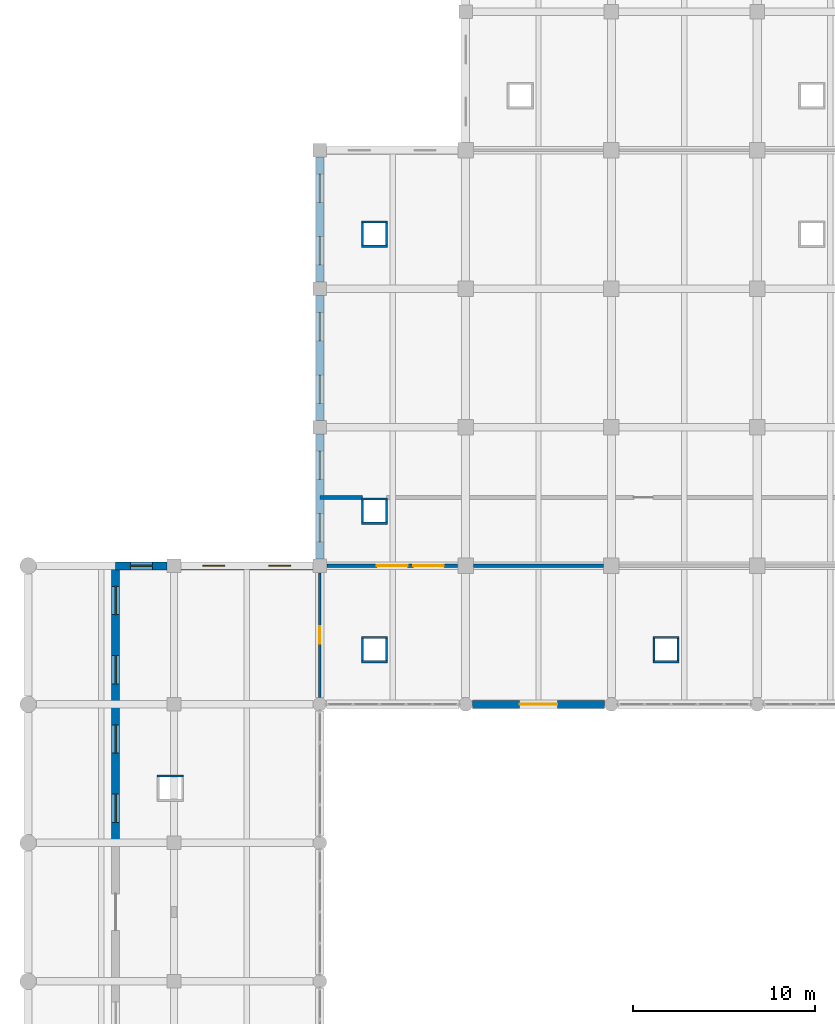
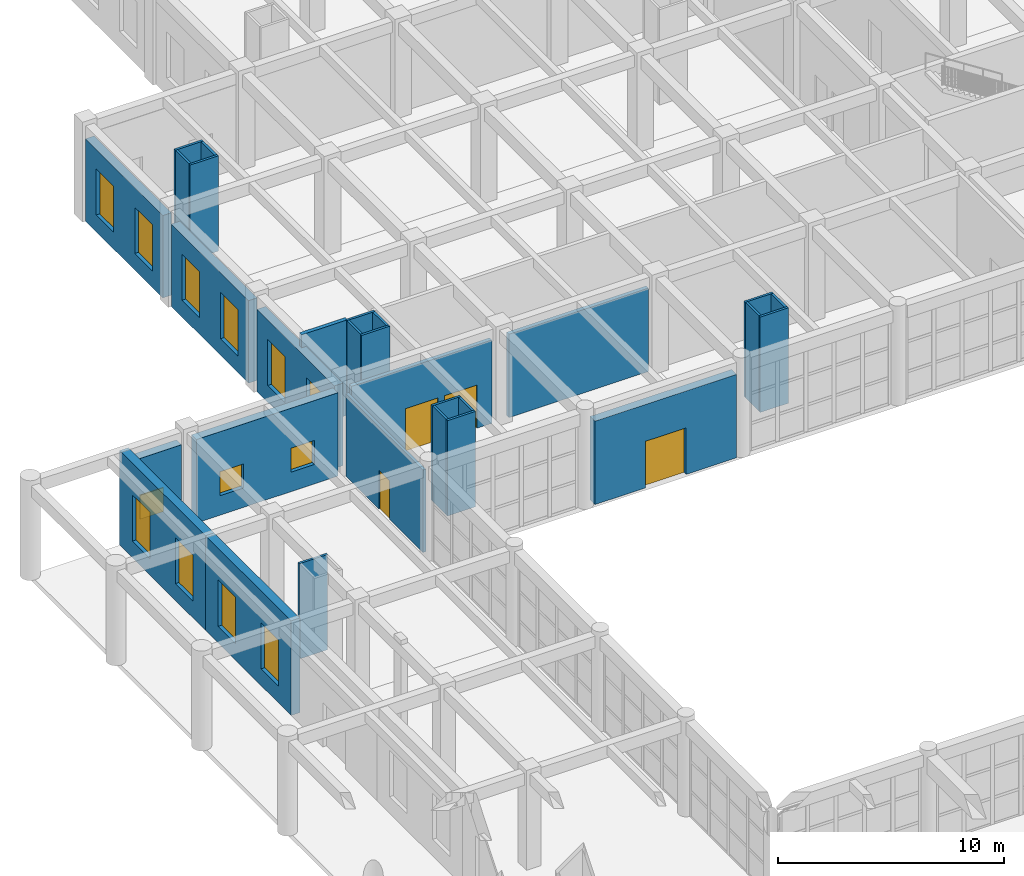
# One storey, part 75 of 95: 29 walls, 13 windows, 4 doors, 17 openings.
"""IFC4 building model written with IfcOpenShell, lengths in metres."""

from ifc_helpers import new_model, si_unit, direction, frame, frame_2d, origin, place, context, subcontext, project, spatial, rectangle, extrude, material, layer, layer_set, type_object, element, fill, save


model = new_model("IFC4")

# Units and contexts
model_context = context("Model", 3, precision=1e-05, world=origin(), true_north=direction((0.0, 1.0)))
body_context = subcontext(model_context, "Body", "Model", "MODEL_VIEW")
ifc_project = project(units=[si_unit("LENGTHUNIT", "METRE"), si_unit("AREAUNIT", "SQUARE_METRE"), si_unit("VOLUMEUNIT", "CUBIC_METRE"), si_unit("PLANEANGLEUNIT", "RADIAN"), si_unit("MASSUNIT", "GRAM", prefix="KILO")], contexts=[model_context])

# Site, building, storey
site_placement = place(None, origin())
site = spatial("IfcSite", under=ifc_project, at=site_placement, CompositionType="ELEMENT")
building_placement = place(site_placement, origin())
building = spatial("IfcBuilding", under=site, at=building_placement, Name="Zantavel Square City Hall", CompositionType="ELEMENT")
storey_placement = place(building_placement, origin())
storey = spatial("IfcBuildingStorey", under=building, at=storey_placement, Name="L01", CompositionType="ELEMENT", Elevation=0.0)

# Wall, opening, door
ifc_material_1 = material(Name="Gypsum acoustic stud assembly", Category="masonry")
ifc_layer_1 = layer(ifc_material_1, 0.14990234375, Name="Gypsum acoustic stud assembly")
ifc_layer_set_1 = layer_set([ifc_layer_1], Name="Gypsum acoustic stud assembly")
wall_type_1 = type_object("IfcWallType", Name="Department Office Partition 150mm", PredefinedType="PARTITIONING", material=ifc_layer_set_1)
wall_1_placement = place(storey_placement, frame((16.0, 68.784912109375, 0.0), z_axis=(0.0, 0.0, 1.0), x_axis=(0.0, 1.0, 0.0)))
wall_1 = element("IfcWall", 1, at=wall_1_placement, inside=storey, type_object=wall_type_1, Name="L01 Interior Wall IW-L01-0103", PredefinedType="PARTITIONING", context=body_context, shape_type="SweptSolid", body=[
    extrude(rectangle(XDim=6.830078125, YDim=0.14990234375, at=frame_2d((3.4150390625, 0.0))), origin(), (0.0, 0.0, 1.0), 4.4599609375),
])
opening_1_placement = place(wall_1_placement, frame((2.93994140625, 0.0, 0.0)))
opening_1 = element("IfcOpeningElement", 2, at=opening_1_placement, cuts=wall_1, Name="Opening D-0066", PredefinedType="OPENING", context=body_context, shape_type="SweptSolid", body=[
    extrude(rectangle(XDim=0.949951171875, YDim=2.10009765625, at=frame_2d((0.47509765625, 1.050048828125))), frame((0.0, 0.0849609375, 0.0), z_axis=(0.0, -1.0, 0.0), x_axis=(1.0, 0.0, 0.0)), (0.0, 0.0, 1.0), 0.169921875),
])
ifc_material_2 = material(Name="Solid oak hardwood", Category="wood")
door_type_1 = type_object("IfcDoorType", Name="Office Internal Oak Single Door 950x2100", OperationType="NOTDEFINED", PredefinedType="DOOR", material=ifc_material_2)
door_1_placement = place(opening_1_placement, origin())
door_1 = element("IfcDoor", 3, at=door_1_placement, inside=storey, type_object=door_type_1, Name="L01 Municipal History Exhibition Gallery Door", OperationType="SINGLE_SWING_RIGHT", OverallHeight=2.10009765625, OverallWidth=0.949951171875, PredefinedType="DOOR", context=body_context, shape_type="SweptSolid", body=[
    extrude(rectangle(XDim=0.949951171875, YDim=2.10009765625, at=frame_2d((0.47509765625, 1.050048828125))), frame((0.0, 0.02490234375, 0.0), z_axis=(0.0, -1.0, 0.0), x_axis=(1.0, 0.0, 0.0)), (0.0, 0.0, 1.0), 0.050048828125),
])
fill(opening_1, door_1)

# Wall, openings, doors
ifc_material_3 = material(Name="Cantera volcanic tuff stone", Category="masonry")
ifc_layer_2 = layer(ifc_material_3, 0.199951171875, Name="Cantera volcanic tuff stone")
ifc_layer_set_2 = layer_set([ifc_layer_2], Name="Cantera volcanic tuff stone")
wall_type_2 = type_object("IfcWallType", Name="Exit Corridor Rated Wall 200mm", PredefinedType="STANDARD", material=ifc_layer_set_2)
wall_2_placement = place(storey_placement, frame((16.385009765625, 76.0, 0.0), z_axis=(0.0, 0.0, 1.0), x_axis=(1.0, 0.0, 0.0)))
wall_2 = element("IfcWall", 4, at=wall_2_placement, inside=storey, type_object=wall_type_2, Name="L01 Interior Wall IW-L01-0105", PredefinedType="STANDARD", context=body_context, shape_type="SweptSolid", body=[
    extrude(rectangle(XDim=7.179931640625, YDim=0.199951171875, at=frame_2d((3.58984375, 0.0))), origin(), (0.0, 0.0, 1.0), 4.510009765625),
])
opening_2_placement = place(wall_2_placement, frame((2.75, 0.0, 0.0)))
opening_2 = element("IfcOpeningElement", 5, at=opening_2_placement, cuts=wall_2, Name="Opening D-0043", PredefinedType="OPENING", context=body_context, shape_type="SweptSolid", body=[
    extrude(rectangle(XDim=1.679931640625, YDim=2.340087890625, at=frame_2d((0.83984375, 1.169921875))), frame((0.0, 0.10986328125, 0.0), z_axis=(0.0, -1.0, 0.0), x_axis=(1.0, 0.0, 0.0)), (0.0, 0.0, 1.0), 0.219970703125),
])
opening_3_placement = place(wall_2_placement, frame((4.75, 0.0, 0.0)))
opening_3 = element("IfcOpeningElement", 6, at=opening_3_placement, cuts=wall_2, Name="Opening D-0068", PredefinedType="OPENING", context=body_context, shape_type="SweptSolid", body=[
    extrude(rectangle(XDim=1.679931640625, YDim=2.340087890625, at=frame_2d((0.83984375, 1.169921875))), frame((0.0, 0.10986328125, 0.0), z_axis=(0.0, -1.0, 0.0), x_axis=(1.0, 0.0, 0.0)), (0.0, 0.0, 1.0), 0.219970703125),
])
door_type_2 = type_object("IfcDoorType", Name="Dining Servery Double Fire Door 1680x2340 FD60S", OperationType="NOTDEFINED", PredefinedType="DOOR", material=ifc_material_2)
door_2_placement = place(opening_2_placement, origin())
door_2 = element("IfcDoor", 7, at=door_2_placement, inside=storey, type_object=door_type_2, Name="L01 Public Courtyard Cafe Door", OperationType="DOUBLE_DOOR_SINGLE_SWING", OverallHeight=2.340087890625, OverallWidth=1.679931640625, PredefinedType="DOOR", context=body_context, shape_type="SweptSolid", body=[
    extrude(rectangle(XDim=1.679931640625, YDim=2.340087890625, at=frame_2d((0.83984375, 1.169921875))), frame((0.0, 0.02490234375, 0.0), z_axis=(0.0, -1.0, 0.0), x_axis=(1.0, 0.0, 0.0)), (0.0, 0.0, 1.0), 0.050048828125),
])
fill(opening_2, door_2)
door_3_placement = place(opening_3_placement, origin())
door_3 = element("IfcDoor", 8, at=door_3_placement, inside=storey, type_object=door_type_2, Name="L01 Public Courtyard Cafe Door", OperationType="DOUBLE_DOOR_SINGLE_SWING", OverallHeight=2.340087890625, OverallWidth=1.679931640625, PredefinedType="DOOR", context=body_context, shape_type="SweptSolid", body=[
    extrude(rectangle(XDim=1.679931640625, YDim=2.340087890625, at=frame_2d((0.83984375, 1.169921875))), frame((0.0, 0.02490234375, 0.0), z_axis=(0.0, -1.0, 0.0), x_axis=(1.0, 0.0, 0.0)), (0.0, 0.0, 1.0), 0.050048828125),
])
fill(opening_3, door_3)

# Walls
wall_3_placement = place(storey_placement, frame((24.43505859375, 76.0, 0.0), z_axis=(0.0, 0.0, 1.0), x_axis=(1.0, 0.0, 0.0)))
element("IfcWall", 9, at=wall_3_placement, inside=storey, type_object=wall_type_2, Name="L01 Interior Wall IW-L01-0106", PredefinedType="STANDARD", context=body_context, shape_type="SweptSolid", body=[
    extrude(rectangle(XDim=7.1298828125, YDim=0.199951171875, at=frame_2d((3.56494140625, 0.0))), origin(), (0.0, 0.0, 1.0), 4.510009765625),
])
wall_4_placement = place(storey_placement, frame((18.344970703125, 79.75, 0.0), z_axis=(0.0, 0.0, 1.0), x_axis=(-1.0, 0.0, 0.0)))
element("IfcWall", 10, at=wall_4_placement, inside=storey, type_object=wall_type_2, Name="L01 Interior Wall IW-L01-0118", PredefinedType="STANDARD", context=body_context, shape_type="SweptSolid", body=[
    extrude(rectangle(XDim=2.344970703125, YDim=0.199951171875, at=frame_2d((1.17236328125, 0.0))), origin(), (0.0, 0.0, 1.0), 5.159912109375),
])
ifc_material_4 = material(Name="Concrete C35/45", Category="concrete")
ifc_layer_3 = layer(ifc_material_4, 0.1201171875, Name="Concrete C35/45")
ifc_layer_set_3 = layer_set([ifc_layer_3], Name="Concrete C35/45")
wall_type_3 = type_object("IfcWallType", Name="Riser Chase Wall RC 120mm C35/45", PredefinedType="PARTITIONING", material=ifc_layer_set_3)
wall_5_placement = place(storey_placement, frame((7.080078125, 64.4599609375, 0.0), z_axis=(0.0, 0.0, 1.0), x_axis=(1.0, 0.0, 0.0)))
element("IfcWall", 11, at=wall_5_placement, inside=storey, type_object=wall_type_3, Name="L01 MEP Riser 18 Wall N", PredefinedType="PARTITIONING", context=body_context, shape_type="SweptSolid", body=[
    extrude(rectangle(XDim=1.43994140625, YDim=0.1201171875, at=frame_2d((0.719970703125, 0.0))), origin(), (0.0, 0.0, 1.0), 5.14990234375),
])
wall_6_placement = place(storey_placement, frame((19.719970703125, 70.739990234375, 0.0), z_axis=(0.0, 0.0, 1.0), x_axis=(-1.0, 0.0, 0.0)))
element("IfcWall", 12, at=wall_6_placement, inside=storey, type_object=wall_type_3, Name="L01 MEP Riser 19 Wall S", PredefinedType="PARTITIONING", context=body_context, shape_type="SweptSolid", body=[
    extrude(rectangle(XDim=1.43994140625, YDim=0.1201171875, at=frame_2d((0.719970703125, 0.0))), origin(), (0.0, 0.0, 1.0), 5.159912109375),
])
wall_7_placement = place(storey_placement, frame((18.340087890625, 70.800048828125, 0.0), z_axis=(0.0, 0.0, 1.0), x_axis=(0.0, 1.0, 0.0)))
element("IfcWall", 13, at=wall_7_placement, inside=storey, type_object=wall_type_3, Name="L01 MEP Riser 19 Wall W", PredefinedType="PARTITIONING", context=body_context, shape_type="SweptSolid", body=[
    extrude(rectangle(XDim=1.199951171875, YDim=0.1201171875, at=frame_2d((0.60009765625, 0.0))), origin(), (0.0, 0.0, 1.0), 5.159912109375),
])
wall_8_placement = place(storey_placement, frame((18.280029296875, 72.06005859375, 0.0), z_axis=(0.0, 0.0, 1.0), x_axis=(1.0, 0.0, 0.0)))
element("IfcWall", 14, at=wall_8_placement, inside=storey, type_object=wall_type_3, Name="L01 MEP Riser 19 Wall N", PredefinedType="PARTITIONING", context=body_context, shape_type="SweptSolid", body=[
    extrude(rectangle(XDim=1.43994140625, YDim=0.1201171875, at=frame_2d((0.719970703125, 0.0))), origin(), (0.0, 0.0, 1.0), 5.159912109375),
])
wall_9_placement = place(storey_placement, frame((19.659912109375, 72.0, 0.0), z_axis=(0.0, 0.0, 1.0), x_axis=(0.0, -1.0, 0.0)))
element("IfcWall", 15, at=wall_9_placement, inside=storey, type_object=wall_type_3, Name="L01 MEP Riser 19 Wall E", PredefinedType="PARTITIONING", context=body_context, shape_type="SweptSolid", body=[
    extrude(rectangle(XDim=1.199951171875, YDim=0.1201171875, at=frame_2d((0.60009765625, 0.0))), origin(), (0.0, 0.0, 1.0), 5.159912109375),
])
wall_10_placement = place(storey_placement, frame((35.719970703125, 70.739990234375, 0.0), z_axis=(0.0, 0.0, 1.0), x_axis=(-1.0, 0.0, 0.0)))
element("IfcWall", 16, at=wall_10_placement, inside=storey, type_object=wall_type_3, Name="L01 MEP Riser 20 Wall S", PredefinedType="PARTITIONING", context=body_context, shape_type="SweptSolid", body=[
    extrude(rectangle(XDim=1.43994140625, YDim=0.1201171875, at=frame_2d((0.719970703125, 0.0))), origin(), (0.0, 0.0, 1.0), 5.159912109375),
])
wall_11_placement = place(storey_placement, frame((34.340087890625, 70.800048828125, 0.0), z_axis=(0.0, 0.0, 1.0), x_axis=(0.0, 1.0, 0.0)))
element("IfcWall", 17, at=wall_11_placement, inside=storey, type_object=wall_type_3, Name="L01 MEP Riser 20 Wall W", PredefinedType="PARTITIONING", context=body_context, shape_type="SweptSolid", body=[
    extrude(rectangle(XDim=1.199951171875, YDim=0.1201171875, at=frame_2d((0.60009765625, 0.0))), origin(), (0.0, 0.0, 1.0), 5.159912109375),
])
wall_12_placement = place(storey_placement, frame((34.280029296875, 72.06005859375, 0.0), z_axis=(0.0, 0.0, 1.0), x_axis=(1.0, 0.0, 0.0)))
element("IfcWall", 18, at=wall_12_placement, inside=storey, type_object=wall_type_3, Name="L01 MEP Riser 20 Wall N", PredefinedType="PARTITIONING", context=body_context, shape_type="SweptSolid", body=[
    extrude(rectangle(XDim=1.43994140625, YDim=0.1201171875, at=frame_2d((0.719970703125, 0.0))), origin(), (0.0, 0.0, 1.0), 5.159912109375),
])
wall_13_placement = place(storey_placement, frame((35.659912109375, 72.0, 0.0), z_axis=(0.0, 0.0, 1.0), x_axis=(0.0, -1.0, 0.0)))
element("IfcWall", 19, at=wall_13_placement, inside=storey, type_object=wall_type_3, Name="L01 MEP Riser 20 Wall E", PredefinedType="PARTITIONING", context=body_context, shape_type="SweptSolid", body=[
    extrude(rectangle(XDim=1.199951171875, YDim=0.1201171875, at=frame_2d((0.60009765625, 0.0))), origin(), (0.0, 0.0, 1.0), 5.159912109375),
])
wall_14_placement = place(storey_placement, frame((19.719970703125, 78.340087890625, 0.0), z_axis=(0.0, 0.0, 1.0), x_axis=(-1.0, 0.0, 0.0)))
element("IfcWall", 20, at=wall_14_placement, inside=storey, type_object=wall_type_3, Name="L01 MEP Riser 26 Wall S", PredefinedType="PARTITIONING", context=body_context, shape_type="SweptSolid", body=[
    extrude(rectangle(XDim=1.43994140625, YDim=0.1201171875, at=frame_2d((0.719970703125, 0.0))), origin(), (0.0, 0.0, 1.0), 5.159912109375),
])
wall_15_placement = place(storey_placement, frame((18.340087890625, 78.39990234375, 0.0), z_axis=(0.0, 0.0, 1.0), x_axis=(0.0, 1.0, 0.0)))
element("IfcWall", 21, at=wall_15_placement, inside=storey, type_object=wall_type_3, Name="L01 MEP Riser 26 Wall W", PredefinedType="PARTITIONING", context=body_context, shape_type="SweptSolid", body=[
    extrude(rectangle(XDim=1.2001953125, YDim=0.1201171875, at=frame_2d((0.60009765625, 0.0))), origin(), (0.0, 0.0, 1.0), 5.159912109375),
])
wall_16_placement = place(storey_placement, frame((18.280029296875, 79.659912109375, 0.0), z_axis=(0.0, 0.0, 1.0), x_axis=(1.0, 0.0, 0.0)))
element("IfcWall", 22, at=wall_16_placement, inside=storey, type_object=wall_type_3, Name="L01 MEP Riser 26 Wall N", PredefinedType="PARTITIONING", context=body_context, shape_type="SweptSolid", body=[
    extrude(rectangle(XDim=1.43994140625, YDim=0.1201171875, at=frame_2d((0.719970703125, 0.0))), origin(), (0.0, 0.0, 1.0), 5.159912109375),
])
wall_17_placement = place(storey_placement, frame((19.659912109375, 79.60009765625, 0.0), z_axis=(0.0, 0.0, 1.0), x_axis=(0.0, -1.0, 0.0)))
element("IfcWall", 23, at=wall_17_placement, inside=storey, type_object=wall_type_3, Name="L01 MEP Riser 26 Wall E", PredefinedType="PARTITIONING", context=body_context, shape_type="SweptSolid", body=[
    extrude(rectangle(XDim=1.2001953125, YDim=0.1201171875, at=frame_2d((0.60009765625, 0.0))), origin(), (0.0, 0.0, 1.0), 5.159912109375),
])
wall_18_placement = place(storey_placement, frame((19.719970703125, 93.5400390625, 0.0), z_axis=(0.0, 0.0, 1.0), x_axis=(-1.0, 0.0, 0.0)))
element("IfcWall", 24, at=wall_18_placement, inside=storey, type_object=wall_type_3, Name="L01 MEP Riser 27 Wall S", PredefinedType="PARTITIONING", context=body_context, shape_type="SweptSolid", body=[
    extrude(rectangle(XDim=1.43994140625, YDim=0.1201171875, at=frame_2d((0.719970703125, 0.0))), origin(), (0.0, 0.0, 1.0), 5.159912109375),
])
wall_19_placement = place(storey_placement, frame((18.340087890625, 93.60009765625, 0.0), z_axis=(0.0, 0.0, 1.0), x_axis=(0.0, 1.0, 0.0)))
element("IfcWall", 25, at=wall_19_placement, inside=storey, type_object=wall_type_3, Name="L01 MEP Riser 27 Wall W", PredefinedType="PARTITIONING", context=body_context, shape_type="SweptSolid", body=[
    extrude(rectangle(XDim=1.199951171875, YDim=0.1201171875, at=frame_2d((0.60009765625, 0.0))), origin(), (0.0, 0.0, 1.0), 5.159912109375),
])
wall_20_placement = place(storey_placement, frame((18.280029296875, 94.860107421875, 0.0), z_axis=(0.0, 0.0, 1.0), x_axis=(1.0, 0.0, 0.0)))
element("IfcWall", 26, at=wall_20_placement, inside=storey, type_object=wall_type_3, Name="L01 MEP Riser 27 Wall N", PredefinedType="PARTITIONING", context=body_context, shape_type="SweptSolid", body=[
    extrude(rectangle(XDim=1.43994140625, YDim=0.1201171875, at=frame_2d((0.719970703125, 0.0))), origin(), (0.0, 0.0, 1.0), 5.159912109375),
])
wall_21_placement = place(storey_placement, frame((19.659912109375, 94.800048828125, 0.0), z_axis=(0.0, 0.0, 1.0), x_axis=(0.0, -1.0, 0.0)))
element("IfcWall", 27, at=wall_21_placement, inside=storey, type_object=wall_type_3, Name="L01 MEP Riser 27 Wall E", PredefinedType="PARTITIONING", context=body_context, shape_type="SweptSolid", body=[
    extrude(rectangle(XDim=1.199951171875, YDim=0.1201171875, at=frame_2d((0.60009765625, 0.0))), origin(), (0.0, 0.0, 1.0), 5.159912109375),
])

# Wall, openings, windows
ifc_material_5 = material(Name="Tezontle volcanic basaltic scoria stone", Category="masonry")
ifc_layer_4 = layer(ifc_material_5, 0.43994140625, Name="Tezontle volcanic basaltic scoria stone")
ifc_layer_set_4 = layer_set([ifc_layer_4], Name="Tezontle volcanic basaltic scoria stone")
wall_type_4 = type_object("IfcWallType", Name="Tezontle Rusticated Plinth Wall 440mm", PredefinedType="STANDARD", material=ifc_layer_set_4)
wall_22_placement = place(storey_placement, frame((4.800048828125, 60.800048828125, 0.0), z_axis=(0.0, 0.0, 1.0), x_axis=(0.0, 1.0, 0.0)))
wall_22 = element("IfcWall", 28, at=wall_22_placement, inside=storey, type_object=wall_type_4, Name="L01 Exterior Wall EW-L01-001", PredefinedType="STANDARD", context=body_context, shape_type="SweptSolid", body=[
    extrude(rectangle(XDim=7.599853515625, YDim=0.43994140625, at=frame_2d((3.7998046875, 0.0))), origin(), (0.0, 0.0, 1.0), 5.1201171875),
])
opening_4_placement = place(wall_22_placement, frame((1.125, 0.0, 0.89990234375)))
opening_4 = element("IfcOpeningElement", 29, at=opening_4_placement, cuts=wall_22, Name="Opening W-001", PredefinedType="OPENING", context=body_context, shape_type="SweptSolid", body=[
    extrude(rectangle(XDim=1.550048828125, YDim=2.5, at=frame_2d((0.77490234375, 1.25))), frame((0.0, 0.22998046875, 0.0), z_axis=(0.0, -1.0, 0.0), x_axis=(1.0, 0.0, 0.0)), (0.0, 0.0, 1.0), 0.4599609375),
])
opening_5_placement = place(wall_22_placement, frame((4.925048828125, 0.0, 0.89990234375)))
opening_5 = element("IfcOpeningElement", 30, at=opening_5_placement, cuts=wall_22, Name="Opening W-002", PredefinedType="OPENING", context=body_context, shape_type="SweptSolid", body=[
    extrude(rectangle(XDim=1.550048828125, YDim=2.5, at=frame_2d((0.77490234375, 1.25))), frame((0.0, 0.22998046875, 0.0), z_axis=(0.0, -1.0, 0.0), x_axis=(1.0, 0.0, 0.0)), (0.0, 0.0, 1.0), 0.4599609375),
])
ifc_material_6 = material(Name="Tempered safety glass low-E double glazing", Category="glass")
window_type_1 = type_object("IfcWindowType", Name="Window Ground Annex 1550x2500", PartitioningType="DOUBLE_PANEL_VERTICAL", PredefinedType="WINDOW", material=ifc_material_6)
window_1_placement = place(opening_4_placement, origin())
window_1 = element("IfcWindow", 31, at=window_1_placement, inside=storey, type_object=window_type_1, Name="L01 Window W-001", OverallHeight=2.5, OverallWidth=1.550048828125, PartitioningType="DOUBLE_PANEL_VERTICAL", PredefinedType="WINDOW", context=body_context, shape_type="SweptSolid", body=[
    extrude(rectangle(XDim=1.550048828125, YDim=2.5, at=frame_2d((0.77490234375, 1.25))), frame((0.0, 0.030029296875, 0.0), z_axis=(0.0, -1.0, 0.0), x_axis=(1.0, 0.0, 0.0)), (0.0, 0.0, 1.0), 0.06005859375),
])
fill(opening_4, window_1)
window_2_placement = place(opening_5_placement, origin())
window_2 = element("IfcWindow", 32, at=window_2_placement, inside=storey, type_object=window_type_1, Name="L01 Window W-002", OverallHeight=2.5, OverallWidth=1.550048828125, PartitioningType="DOUBLE_PANEL_VERTICAL", PredefinedType="WINDOW", context=body_context, shape_type="SweptSolid", body=[
    extrude(rectangle(XDim=1.550048828125, YDim=2.5, at=frame_2d((0.77490234375, 1.25))), frame((0.0, 0.030029296875, 0.0), z_axis=(0.0, -1.0, 0.0), x_axis=(1.0, 0.0, 0.0)), (0.0, 0.0, 1.0), 0.06005859375),
])
fill(opening_5, window_2)

wall_23_placement = place(storey_placement, frame((4.800048828125, 68.39990234375, 0.0), z_axis=(0.0, 0.0, 1.0), x_axis=(0.0, 1.0, 0.0)))
wall_23 = element("IfcWall", 33, at=wall_23_placement, inside=storey, type_object=wall_type_4, Name="L01 Exterior Wall EW-L01-002", PredefinedType="STANDARD", context=body_context, shape_type="SweptSolid", body=[
    extrude(rectangle(XDim=7.60009765625, YDim=0.43994140625, at=frame_2d((3.800048828125, 0.0))), origin(), (0.0, 0.0, 1.0), 5.1201171875),
])
opening_6_placement = place(wall_23_placement, frame((1.125, 0.0, 0.89990234375)))
opening_6 = element("IfcOpeningElement", 34, at=opening_6_placement, cuts=wall_23, Name="Opening W-003", PredefinedType="OPENING", context=body_context, shape_type="SweptSolid", body=[
    extrude(rectangle(XDim=1.550048828125, YDim=2.5, at=frame_2d((0.77490234375, 1.25))), frame((0.0, 0.22998046875, 0.0), z_axis=(0.0, -1.0, 0.0), x_axis=(1.0, 0.0, 0.0)), (0.0, 0.0, 1.0), 0.4599609375),
])
opening_7_placement = place(wall_23_placement, frame((4.925048828125, 0.0, 0.89990234375)))
opening_7 = element("IfcOpeningElement", 35, at=opening_7_placement, cuts=wall_23, Name="Opening W-004", PredefinedType="OPENING", context=body_context, shape_type="SweptSolid", body=[
    extrude(rectangle(XDim=1.550048828125, YDim=2.5, at=frame_2d((0.77490234375, 1.25))), frame((0.0, 0.22998046875, 0.0), z_axis=(0.0, -1.0, 0.0), x_axis=(1.0, 0.0, 0.0)), (0.0, 0.0, 1.0), 0.4599609375),
])
window_3_placement = place(opening_6_placement, origin())
window_3 = element("IfcWindow", 36, at=window_3_placement, inside=storey, type_object=window_type_1, Name="L01 Window W-003", OverallHeight=2.5, OverallWidth=1.550048828125, PartitioningType="DOUBLE_PANEL_VERTICAL", PredefinedType="WINDOW", context=body_context, shape_type="SweptSolid", body=[
    extrude(rectangle(XDim=1.550048828125, YDim=2.5, at=frame_2d((0.77490234375, 1.25))), frame((0.0, 0.030029296875, 0.0), z_axis=(0.0, -1.0, 0.0), x_axis=(1.0, 0.0, 0.0)), (0.0, 0.0, 1.0), 0.06005859375),
])
fill(opening_6, window_3)
window_4_placement = place(opening_7_placement, origin())
window_4 = element("IfcWindow", 37, at=window_4_placement, inside=storey, type_object=window_type_1, Name="L01 Window W-004", OverallHeight=2.5, OverallWidth=1.550048828125, PartitioningType="DOUBLE_PANEL_VERTICAL", PredefinedType="WINDOW", context=body_context, shape_type="SweptSolid", body=[
    extrude(rectangle(XDim=1.550048828125, YDim=2.5, at=frame_2d((0.77490234375, 1.25))), frame((0.0, 0.030029296875, 0.0), z_axis=(0.0, -1.0, 0.0), x_axis=(1.0, 0.0, 0.0)), (0.0, 0.0, 1.0), 0.06005859375),
])
fill(opening_7, window_4)

# Wall, opening, window
wall_24_placement = place(storey_placement, frame((4.800048828125, 76.0, 0.0), z_axis=(0.0, 0.0, 1.0), x_axis=(1.0, 0.0, 0.0)))
wall_24 = element("IfcWall", 38, at=wall_24_placement, inside=storey, type_object=wall_type_4, Name="L01 Exterior Wall EW-L01-003", PredefinedType="STANDARD", context=body_context, shape_type="SweptSolid", body=[
    extrude(rectangle(XDim=2.824951171875, YDim=0.43994140625, at=frame_2d((1.41259765625, 0.0))), origin(), (0.0, 0.0, 1.0), 4.5),
])
opening_8_placement = place(wall_24_placement, frame((0.8125, 0.0, 1.050048828125)))
opening_8 = element("IfcOpeningElement", 39, at=opening_8_placement, cuts=wall_24, Name="Opening W-005", PredefinedType="OPENING", context=body_context, shape_type="SweptSolid", body=[
    extrude(rectangle(XDim=1.199951171875, YDim=1.300048828125, at=frame_2d((0.60009765625, 0.64990234375))), frame((0.0, 0.22998046875, 0.0), z_axis=(0.0, -1.0, 0.0), x_axis=(1.0, 0.0, 0.0)), (0.0, 0.0, 1.0), 0.4599609375),
])
window_type_2 = type_object("IfcWindowType", Name="Window Mailroom Clerestory 1200x1300", PartitioningType="SINGLE_PANEL", PredefinedType="WINDOW", material=ifc_material_6)
window_5_placement = place(opening_8_placement, origin())
window_5 = element("IfcWindow", 40, at=window_5_placement, inside=storey, type_object=window_type_2, Name="L01 Window W-005", OverallHeight=1.300048828125, OverallWidth=1.199951171875, PartitioningType="SINGLE_PANEL", PredefinedType="WINDOW", context=body_context, shape_type="SweptSolid", body=[
    extrude(rectangle(XDim=1.199951171875, YDim=1.300048828125, at=frame_2d((0.60009765625, 0.64990234375))), frame((0.0, 0.030029296875, 0.0), z_axis=(0.0, -1.0, 0.0), x_axis=(1.0, 0.0, 0.0)), (0.0, 0.0, 1.0), 0.06005859375),
])
fill(opening_8, window_5)

# Wall, openings, windows
wall_25_placement = place(storey_placement, frame((8.375, 76.0, 0.0), z_axis=(0.0, 0.0, 1.0), x_axis=(1.0, 0.0, 0.0)))
wall_25 = element("IfcWall", 41, at=wall_25_placement, inside=storey, type_object=wall_type_4, Name="L01 Exterior Wall EW-L01-004", PredefinedType="STANDARD", context=body_context, shape_type="SweptSolid", body=[
    extrude(rectangle(XDim=7.25, YDim=0.43994140625, at=frame_2d((3.625, 0.0))), origin(), (0.0, 0.0, 1.0), 4.510009765625),
])
opening_9_placement = place(wall_25_placement, frame((1.21240234375, 0.0, 1.050048828125)))
opening_9 = element("IfcOpeningElement", 42, at=opening_9_placement, cuts=wall_25, Name="Opening W-006", PredefinedType="OPENING", context=body_context, shape_type="SweptSolid", body=[
    extrude(rectangle(XDim=1.199951171875, YDim=1.300048828125, at=frame_2d((0.60009765625, 0.64990234375))), frame((0.0, 0.22998046875, 0.0), z_axis=(0.0, -1.0, 0.0), x_axis=(1.0, 0.0, 0.0)), (0.0, 0.0, 1.0), 0.4599609375),
])
opening_10_placement = place(wall_25_placement, frame((4.83740234375, 0.0, 1.050048828125)))
opening_10 = element("IfcOpeningElement", 43, at=opening_10_placement, cuts=wall_25, Name="Opening W-007", PredefinedType="OPENING", context=body_context, shape_type="SweptSolid", body=[
    extrude(rectangle(XDim=1.199951171875, YDim=1.300048828125, at=frame_2d((0.60009765625, 0.64990234375))), frame((0.0, 0.22998046875, 0.0), z_axis=(0.0, -1.0, 0.0), x_axis=(1.0, 0.0, 0.0)), (0.0, 0.0, 1.0), 0.4599609375),
])
window_6_placement = place(opening_9_placement, origin())
window_6 = element("IfcWindow", 44, at=window_6_placement, inside=storey, type_object=window_type_2, Name="L01 Window W-006", OverallHeight=1.300048828125, OverallWidth=1.199951171875, PartitioningType="SINGLE_PANEL", PredefinedType="WINDOW", context=body_context, shape_type="SweptSolid", body=[
    extrude(rectangle(XDim=1.199951171875, YDim=1.300048828125, at=frame_2d((0.60009765625, 0.64990234375))), frame((0.0, 0.030029296875, 0.0), z_axis=(0.0, -1.0, 0.0), x_axis=(1.0, 0.0, 0.0)), (0.0, 0.0, 1.0), 0.06005859375),
])
fill(opening_9, window_6)
window_7_placement = place(opening_10_placement, origin())
window_7 = element("IfcWindow", 45, at=window_7_placement, inside=storey, type_object=window_type_2, Name="L01 Window W-007", OverallHeight=1.300048828125, OverallWidth=1.199951171875, PartitioningType="SINGLE_PANEL", PredefinedType="WINDOW", context=body_context, shape_type="SweptSolid", body=[
    extrude(rectangle(XDim=1.199951171875, YDim=1.300048828125, at=frame_2d((0.60009765625, 0.64990234375))), frame((0.0, 0.030029296875, 0.0), z_axis=(0.0, -1.0, 0.0), x_axis=(1.0, 0.0, 0.0)), (0.0, 0.0, 1.0), 0.06005859375),
])
fill(opening_10, window_7)

wall_26_placement = place(storey_placement, frame((16.0, 76.375, 0.0), z_axis=(0.0, 0.0, 1.0), x_axis=(0.0, 1.0, 0.0)))
wall_26 = element("IfcWall", 46, at=wall_26_placement, inside=storey, type_object=wall_type_4, Name="L01 Exterior Wall EW-L01-005", PredefinedType="STANDARD", context=body_context, shape_type="SweptSolid", body=[
    extrude(rectangle(XDim=6.85009765625, YDim=0.43994140625, at=frame_2d((3.425048828125, 0.0))), origin(), (0.0, 0.0, 1.0), 4.4599609375),
])
opening_11_placement = place(wall_26_placement, frame((0.9375, 0.0, 0.89990234375)))
opening_11 = element("IfcOpeningElement", 47, at=opening_11_placement, cuts=wall_26, Name="Opening W-008", PredefinedType="OPENING", context=body_context, shape_type="SweptSolid", body=[
    extrude(rectangle(XDim=1.550048828125, YDim=2.5, at=frame_2d((0.77490234375, 1.25))), frame((0.0, 0.22998046875, 0.0), z_axis=(0.0, -1.0, 0.0), x_axis=(1.0, 0.0, 0.0)), (0.0, 0.0, 1.0), 0.4599609375),
])
opening_12_placement = place(wall_26_placement, frame((4.362548828125, 0.0, 0.89990234375)))
opening_12 = element("IfcOpeningElement", 48, at=opening_12_placement, cuts=wall_26, Name="Opening W-009", PredefinedType="OPENING", context=body_context, shape_type="SweptSolid", body=[
    extrude(rectangle(XDim=1.550048828125, YDim=2.5, at=frame_2d((0.77490234375, 1.25))), frame((0.0, 0.22998046875, 0.0), z_axis=(0.0, -1.0, 0.0), x_axis=(1.0, 0.0, 0.0)), (0.0, 0.0, 1.0), 0.4599609375),
])
window_8_placement = place(opening_11_placement, origin())
window_8 = element("IfcWindow", 49, at=window_8_placement, inside=storey, type_object=window_type_1, Name="L01 Window W-008", OverallHeight=2.5, OverallWidth=1.550048828125, PartitioningType="DOUBLE_PANEL_VERTICAL", PredefinedType="WINDOW", context=body_context, shape_type="SweptSolid", body=[
    extrude(rectangle(XDim=1.550048828125, YDim=2.5, at=frame_2d((0.77490234375, 1.25))), frame((0.0, 0.030029296875, 0.0), z_axis=(0.0, -1.0, 0.0), x_axis=(1.0, 0.0, 0.0)), (0.0, 0.0, 1.0), 0.06005859375),
])
fill(opening_11, window_8)
window_9_placement = place(opening_12_placement, origin())
window_9 = element("IfcWindow", 50, at=window_9_placement, inside=storey, type_object=window_type_1, Name="L01 Window W-009", OverallHeight=2.5, OverallWidth=1.550048828125, PartitioningType="DOUBLE_PANEL_VERTICAL", PredefinedType="WINDOW", context=body_context, shape_type="SweptSolid", body=[
    extrude(rectangle(XDim=1.550048828125, YDim=2.5, at=frame_2d((0.77490234375, 1.25))), frame((0.0, 0.030029296875, 0.0), z_axis=(0.0, -1.0, 0.0), x_axis=(1.0, 0.0, 0.0)), (0.0, 0.0, 1.0), 0.06005859375),
])
fill(opening_12, window_9)

wall_27_placement = place(storey_placement, frame((16.0, 83.97509765625, 0.0), z_axis=(0.0, 0.0, 1.0), x_axis=(0.0, 1.0, 0.0)))
wall_27 = element("IfcWall", 51, at=wall_27_placement, inside=storey, type_object=wall_type_4, Name="L01 Exterior Wall EW-L01-006", PredefinedType="STANDARD", context=body_context, shape_type="SweptSolid", body=[
    extrude(rectangle(XDim=6.849853515625, YDim=0.43994140625, at=frame_2d((3.4248046875, 0.0))), origin(), (0.0, 0.0, 1.0), 4.4599609375),
])
opening_13_placement = place(wall_27_placement, frame((0.9375, 0.0, 0.89990234375)))
opening_13 = element("IfcOpeningElement", 52, at=opening_13_placement, cuts=wall_27, Name="Opening W-010", PredefinedType="OPENING", context=body_context, shape_type="SweptSolid", body=[
    extrude(rectangle(XDim=1.550048828125, YDim=2.5, at=frame_2d((0.77490234375, 1.25))), frame((0.0, 0.22998046875, 0.0), z_axis=(0.0, -1.0, 0.0), x_axis=(1.0, 0.0, 0.0)), (0.0, 0.0, 1.0), 0.4599609375),
])
opening_14_placement = place(wall_27_placement, frame((4.362548828125, 0.0, 0.89990234375)))
opening_14 = element("IfcOpeningElement", 53, at=opening_14_placement, cuts=wall_27, Name="Opening W-011", PredefinedType="OPENING", context=body_context, shape_type="SweptSolid", body=[
    extrude(rectangle(XDim=1.550048828125, YDim=2.5, at=frame_2d((0.77490234375, 1.25))), frame((0.0, 0.22998046875, 0.0), z_axis=(0.0, -1.0, 0.0), x_axis=(1.0, 0.0, 0.0)), (0.0, 0.0, 1.0), 0.4599609375),
])
window_10_placement = place(opening_13_placement, origin())
window_10 = element("IfcWindow", 54, at=window_10_placement, inside=storey, type_object=window_type_1, Name="L01 Window W-010", OverallHeight=2.5, OverallWidth=1.550048828125, PartitioningType="DOUBLE_PANEL_VERTICAL", PredefinedType="WINDOW", context=body_context, shape_type="SweptSolid", body=[
    extrude(rectangle(XDim=1.550048828125, YDim=2.5, at=frame_2d((0.77490234375, 1.25))), frame((0.0, 0.030029296875, 0.0), z_axis=(0.0, -1.0, 0.0), x_axis=(1.0, 0.0, 0.0)), (0.0, 0.0, 1.0), 0.06005859375),
])
fill(opening_13, window_10)
window_11_placement = place(opening_14_placement, origin())
window_11 = element("IfcWindow", 55, at=window_11_placement, inside=storey, type_object=window_type_1, Name="L01 Window W-011", OverallHeight=2.5, OverallWidth=1.550048828125, PartitioningType="DOUBLE_PANEL_VERTICAL", PredefinedType="WINDOW", context=body_context, shape_type="SweptSolid", body=[
    extrude(rectangle(XDim=1.550048828125, YDim=2.5, at=frame_2d((0.77490234375, 1.25))), frame((0.0, 0.030029296875, 0.0), z_axis=(0.0, -1.0, 0.0), x_axis=(1.0, 0.0, 0.0)), (0.0, 0.0, 1.0), 0.06005859375),
])
fill(opening_14, window_11)

wall_28_placement = place(storey_placement, frame((16.0, 91.574951171875, 0.0), z_axis=(0.0, 0.0, 1.0), x_axis=(0.0, 1.0, 0.0)))
wall_28 = element("IfcWall", 56, at=wall_28_placement, inside=storey, type_object=wall_type_4, Name="L01 Exterior Wall EW-L01-007", PredefinedType="STANDARD", context=body_context, shape_type="SweptSolid", body=[
    extrude(rectangle(XDim=6.85009765625, YDim=0.43994140625, at=frame_2d((3.425048828125, 0.0))), origin(), (0.0, 0.0, 1.0), 4.4599609375),
])
opening_15_placement = place(wall_28_placement, frame((0.9375, 0.0, 0.89990234375)))
opening_15 = element("IfcOpeningElement", 57, at=opening_15_placement, cuts=wall_28, Name="Opening W-012", PredefinedType="OPENING", context=body_context, shape_type="SweptSolid", body=[
    extrude(rectangle(XDim=1.550048828125, YDim=2.5, at=frame_2d((0.77490234375, 1.25))), frame((0.0, 0.22998046875, 0.0), z_axis=(0.0, -1.0, 0.0), x_axis=(1.0, 0.0, 0.0)), (0.0, 0.0, 1.0), 0.4599609375),
])
opening_16_placement = place(wall_28_placement, frame((4.362548828125, 0.0, 0.89990234375)))
opening_16 = element("IfcOpeningElement", 58, at=opening_16_placement, cuts=wall_28, Name="Opening W-013", PredefinedType="OPENING", context=body_context, shape_type="SweptSolid", body=[
    extrude(rectangle(XDim=1.550048828125, YDim=2.5, at=frame_2d((0.77490234375, 1.25))), frame((0.0, 0.22998046875, 0.0), z_axis=(0.0, -1.0, 0.0), x_axis=(1.0, 0.0, 0.0)), (0.0, 0.0, 1.0), 0.4599609375),
])
window_12_placement = place(opening_15_placement, origin())
window_12 = element("IfcWindow", 59, at=window_12_placement, inside=storey, type_object=window_type_1, Name="L01 Window W-012", OverallHeight=2.5, OverallWidth=1.550048828125, PartitioningType="DOUBLE_PANEL_VERTICAL", PredefinedType="WINDOW", context=body_context, shape_type="SweptSolid", body=[
    extrude(rectangle(XDim=1.550048828125, YDim=2.5, at=frame_2d((0.77490234375, 1.25))), frame((0.0, 0.030029296875, 0.0), z_axis=(0.0, -1.0, 0.0), x_axis=(1.0, 0.0, 0.0)), (0.0, 0.0, 1.0), 0.06005859375),
])
fill(opening_15, window_12)
window_13_placement = place(opening_16_placement, origin())
window_13 = element("IfcWindow", 60, at=window_13_placement, inside=storey, type_object=window_type_1, Name="L01 Window W-013", OverallHeight=2.5, OverallWidth=1.550048828125, PartitioningType="DOUBLE_PANEL_VERTICAL", PredefinedType="WINDOW", context=body_context, shape_type="SweptSolid", body=[
    extrude(rectangle(XDim=1.550048828125, YDim=2.5, at=frame_2d((0.77490234375, 1.25))), frame((0.0, 0.030029296875, 0.0), z_axis=(0.0, -1.0, 0.0), x_axis=(1.0, 0.0, 0.0)), (0.0, 0.0, 1.0), 0.06005859375),
])
fill(opening_16, window_13)

# Wall, opening, door
wall_29_placement = place(storey_placement, frame((31.625, 68.39990234375, 0.0), z_axis=(0.0, 0.0, 1.0), x_axis=(-1.0, 0.0, 0.0)))
wall_29 = element("IfcWall", 61, at=wall_29_placement, inside=storey, type_object=wall_type_4, Name="L01 Exterior Wall EW-L01-105", PredefinedType="STANDARD", context=body_context, shape_type="SweptSolid", body=[
    extrude(rectangle(XDim=7.25, YDim=0.43994140625, at=frame_2d((3.625, 0.0))), origin(), (0.0, 0.0, 1.0), 4.510009765625),
])
opening_17_placement = place(wall_29_placement, frame((2.5849609375, 0.0, 0.0)))
opening_17 = element("IfcOpeningElement", 62, at=opening_17_placement, cuts=wall_29, Name="Opening ED-018", PredefinedType="OPENING", context=body_context, shape_type="SweptSolid", body=[
    extrude(rectangle(XDim=2.080078125, YDim=2.52001953125, at=frame_2d((1.0400390625, 1.260009765625))), frame((0.0, 0.22998046875, 0.0), z_axis=(0.0, -1.0, 0.0), x_axis=(1.0, 0.0, 0.0)), (0.0, 0.0, 1.0), 0.4599609375),
])
ifc_material_7 = material(Name="Anodised aluminium 6063-T6", Category="aluminium")
door_type_3 = type_object("IfcDoorType", Name="Courtyard Colonnade Glazed Door 2080x2520", OperationType="NOTDEFINED", PredefinedType="DOOR", material=ifc_material_7)
door_4_placement = place(opening_17_placement, origin())
door_4 = element("IfcDoor", 63, at=door_4_placement, inside=storey, type_object=door_type_3, Name="Public Courtyard Cafe Terrace Door", OperationType="DOUBLE_DOOR_SINGLE_SWING", OverallHeight=2.52001953125, OverallWidth=2.080078125, PredefinedType="DOOR", context=body_context, shape_type="SweptSolid", body=[
    extrude(rectangle(XDim=2.080078125, YDim=2.52001953125, at=frame_2d((1.0400390625, 1.260009765625))), frame((0.0, 0.02490234375, 0.0), z_axis=(0.0, -1.0, 0.0), x_axis=(1.0, 0.0, 0.0)), (0.0, 0.0, 1.0), 0.050048828125),
])
fill(opening_17, door_4)

save(model, "model.ifc")
